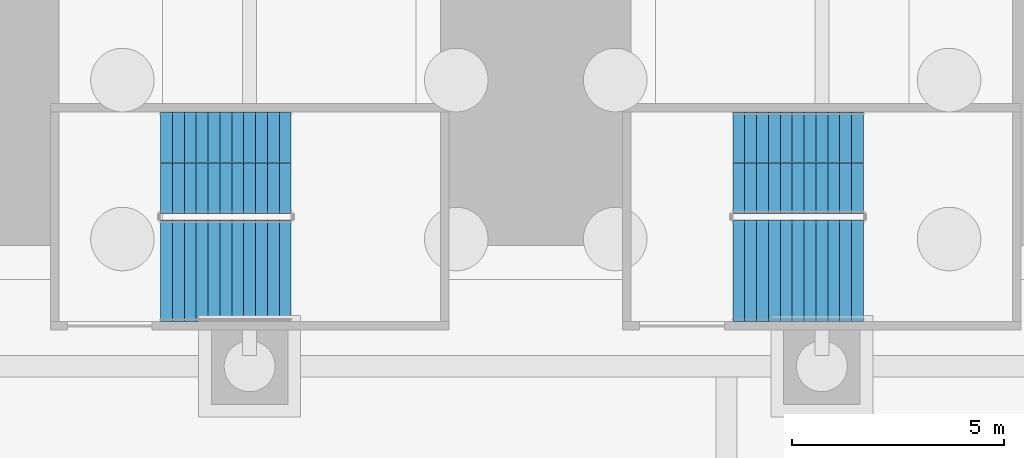
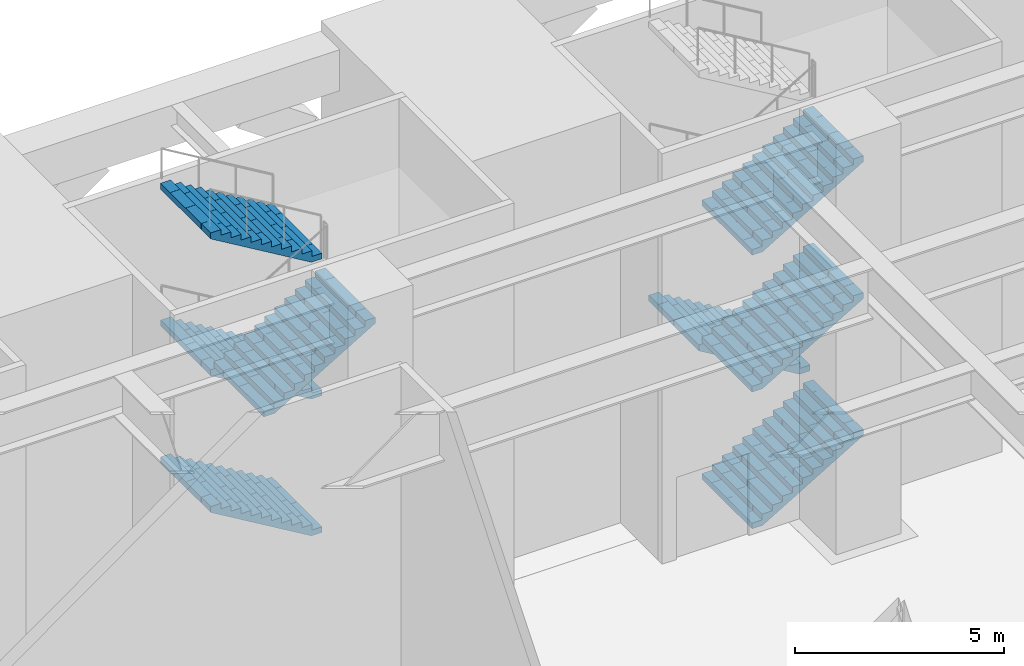
# One storey, part 23 of 34: 8 stair flights, 2 elements without a shape of their own.
"""IFC4 building model written with IfcOpenShell, lengths in metres."""

from ifc_helpers import new_model, si_unit, direction, frame, origin, place, context, subcontext, project, spatial, polyline, outline, extrude, material, type_object, element, aggregate, save


model = new_model("IFC4")

# Units and contexts
model_context = context("Model", 3, precision=1e-05, world=origin(), true_north=direction((0.0, 1.0)))
body_context = subcontext(model_context, "Body", "Model", "MODEL_VIEW")
ifc_project = project(units=[si_unit("LENGTHUNIT", "METRE"), si_unit("AREAUNIT", "SQUARE_METRE"), si_unit("VOLUMEUNIT", "CUBIC_METRE"), si_unit("PLANEANGLEUNIT", "RADIAN"), si_unit("MASSUNIT", "GRAM", prefix="KILO")], contexts=[model_context])

# Site, building, storey
site_placement = place(None, origin())
site = spatial("IfcSite", under=ifc_project, at=site_placement, CompositionType="ELEMENT")
building_placement = place(site_placement, origin())
building = spatial("IfcBuilding", under=site, at=building_placement, Name="Corbelhall Arena Tower", CompositionType="ELEMENT")
storey_placement = place(building_placement, origin())
storey = spatial("IfcBuildingStorey", under=building, at=storey_placement, Name="L00", CompositionType="ELEMENT", Elevation=0.0)

# Stair, stair flights
ifc_material = material(Name="Reinforced concrete C40/50", Category="concrete")
stair_type = type_object("IfcStairType", Name="AR-EXIT-STAIR", PredefinedType="HALF_TURN_STAIR", material=ifc_material)
stair_1_placement = place(storey_placement, origin())
stair_1 = element("IfcStair", 1, at=stair_1_placement, inside=storey, type_object=stair_type, Name="L00 exit stair AS11", PredefinedType="HALF_TURN_STAIR")
stair_flight_type = type_object("IfcStairFlightType", Name="AR-EXIT-FLIGHT", PredefinedType="STRAIGHT", material=ifc_material)
stair_flight_1_placement = place(storey_placement, frame((7.72998046875, 34.050048828125, 2.0), z_axis=(0.0, 0.0, 1.0), x_axis=(-1.0, 0.0, 0.0)))
stair_flight_1 = element("IfcStairFlight", 2, at=stair_flight_1_placement, type_object=stair_flight_type, Name="AS11 flight 2", NumberOfRisers=12, NumberOfTreads=11, PredefinedType="STRAIGHT", RiserHeight=0.166666667, TreadLength=0.28, context=body_context, shape_type="SweptSolid", body=[
    extrude(outline(polyline([(0.0, 0.0), (0.0, 0.166748046875), (0.280029296875, 0.166748046875), (0.280029296875, 0.333251953125), (0.56005859375, 0.333251953125), (0.56005859375, 0.5), (0.840087890625, 0.5), (0.840087890625, 0.666748046875), (1.1201171875, 0.666748046875), (1.1201171875, 0.833251953125), (1.39990234375, 0.833251953125), (1.39990234375, 1.0), (1.679931640625, 1.0), (1.679931640625, 1.166748046875), (1.9599609375, 1.166748046875), (1.9599609375, 1.333251953125), (2.239990234375, 1.333251953125), (2.239990234375, 1.5), (2.52001953125, 1.5), (2.52001953125, 1.666748046875), (2.800048828125, 1.666748046875), (2.800048828125, 1.833251953125), (3.080078125, 1.833251953125), (3.080078125, 2.0), (3.080078125, 1.658935546875), (0.29296875, 0.0), (0.0, 0.0)])), frame((0.0, 1.199951171875, 0.0), z_axis=(0.0, -1.0, 0.0), x_axis=(1.0, 0.0, 0.0)), (0.0, 0.0, 1.0), 0.449951171875),
    extrude(outline(polyline([(0.0, 0.0), (0.0, 0.166748046875), (0.280029296875, 0.166748046875), (0.280029296875, 0.333251953125), (0.56005859375, 0.333251953125), (0.56005859375, 0.5), (0.840087890625, 0.5), (0.840087890625, 0.666748046875), (1.1201171875, 0.666748046875), (1.1201171875, 0.833251953125), (1.39990234375, 0.833251953125), (1.39990234375, 1.0), (1.679931640625, 1.0), (1.679931640625, 1.166748046875), (1.9599609375, 1.166748046875), (1.9599609375, 1.333251953125), (2.239990234375, 1.333251953125), (2.239990234375, 1.5), (2.52001953125, 1.5), (2.52001953125, 1.666748046875), (2.800048828125, 1.666748046875), (2.800048828125, 1.833251953125), (3.080078125, 1.833251953125), (3.080078125, 2.0), (3.080078125, 1.658935546875), (0.29296875, 0.0), (0.0, 0.0)])), frame((0.0, 0.745849609375, 0.0), z_axis=(0.0, -1.0, 0.0), x_axis=(1.0, 0.0, 0.0)), (0.0, 0.0, 1.0), 0.743896484375),
    extrude(outline(polyline([(0.0, 0.0), (0.0, 0.166748046875), (0.280029296875, 0.166748046875), (0.280029296875, 0.333251953125), (0.56005859375, 0.333251953125), (0.56005859375, 0.5), (0.840087890625, 0.5), (0.840087890625, 0.666748046875), (1.1201171875, 0.666748046875), (1.1201171875, 0.833251953125), (1.39990234375, 0.833251953125), (1.39990234375, 1.0), (1.679931640625, 1.0), (1.679931640625, 1.166748046875), (1.9599609375, 1.166748046875), (1.9599609375, 1.333251953125), (2.239990234375, 1.333251953125), (2.239990234375, 1.5), (2.52001953125, 1.5), (2.52001953125, 1.666748046875), (2.800048828125, 1.666748046875), (2.800048828125, 1.833251953125), (3.080078125, 1.833251953125), (3.080078125, 2.0), (3.080078125, 1.658935546875), (0.29296875, 0.0), (0.0, 0.0)])), frame((0.0, -0.001953125, 0.0), z_axis=(0.0, -1.0, 0.0), x_axis=(1.0, 0.0, 0.0)), (0.0, 0.0, 1.0), 0.743896484375),
    extrude(outline(polyline([(0.0, 0.0), (0.0, 0.166748046875), (0.280029296875, 0.166748046875), (0.280029296875, 0.333251953125), (0.56005859375, 0.333251953125), (0.56005859375, 0.5), (0.840087890625, 0.5), (0.840087890625, 0.666748046875), (1.1201171875, 0.666748046875), (1.1201171875, 0.833251953125), (1.39990234375, 0.833251953125), (1.39990234375, 1.0), (1.679931640625, 1.0), (1.679931640625, 1.166748046875), (1.9599609375, 1.166748046875), (1.9599609375, 1.333251953125), (2.239990234375, 1.333251953125), (2.239990234375, 1.5), (2.52001953125, 1.5), (2.52001953125, 1.666748046875), (2.800048828125, 1.666748046875), (2.800048828125, 1.833251953125), (3.080078125, 1.833251953125), (3.080078125, 2.0), (3.080078125, 1.658935546875), (0.29296875, 0.0), (0.0, 0.0)])), frame((0.0, -0.75, 0.0), z_axis=(0.0, -1.0, 0.0), x_axis=(1.0, 0.0, 0.0)), (0.0, 0.0, 1.0), 0.449951171875),
])
stair_flight_2_placement = place(storey_placement, frame((7.72998046875, 34.050048828125, 6.0), z_axis=(0.0, 0.0, 1.0), x_axis=(-1.0, 0.0, 0.0)))
stair_flight_2 = element("IfcStairFlight", 3, at=stair_flight_2_placement, type_object=stair_flight_type, Name="AS11 flight 4", NumberOfRisers=12, NumberOfTreads=11, PredefinedType="STRAIGHT", RiserHeight=0.166666667, TreadLength=0.28, context=body_context, shape_type="SweptSolid", body=[
    extrude(outline(polyline([(0.0, 0.0), (0.0, 0.166748046875), (0.280029296875, 0.166748046875), (0.280029296875, 0.333251953125), (0.56005859375, 0.333251953125), (0.56005859375, 0.5), (0.840087890625, 0.5), (0.840087890625, 0.666748046875), (1.1201171875, 0.666748046875), (1.1201171875, 0.833251953125), (1.39990234375, 0.833251953125), (1.39990234375, 1.0), (1.679931640625, 1.0), (1.679931640625, 1.166748046875), (1.9599609375, 1.166748046875), (1.9599609375, 1.333251953125), (2.239990234375, 1.333251953125), (2.239990234375, 1.5), (2.52001953125, 1.5), (2.52001953125, 1.666748046875), (2.800048828125, 1.666748046875), (2.800048828125, 1.833251953125), (3.080078125, 1.833251953125), (3.080078125, 2.0), (3.080078125, 1.658935546875), (0.29296875, 0.0), (0.0, 0.0)])), frame((0.0, 1.199951171875, 0.0), z_axis=(0.0, -1.0, 0.0), x_axis=(1.0, 0.0, 0.0)), (0.0, 0.0, 1.0), 0.449951171875),
    extrude(outline(polyline([(0.0, 0.0), (0.0, 0.166748046875), (0.280029296875, 0.166748046875), (0.280029296875, 0.333251953125), (0.56005859375, 0.333251953125), (0.56005859375, 0.5), (0.840087890625, 0.5), (0.840087890625, 0.666748046875), (1.1201171875, 0.666748046875), (1.1201171875, 0.833251953125), (1.39990234375, 0.833251953125), (1.39990234375, 1.0), (1.679931640625, 1.0), (1.679931640625, 1.166748046875), (1.9599609375, 1.166748046875), (1.9599609375, 1.333251953125), (2.239990234375, 1.333251953125), (2.239990234375, 1.5), (2.52001953125, 1.5), (2.52001953125, 1.666748046875), (2.800048828125, 1.666748046875), (2.800048828125, 1.833251953125), (3.080078125, 1.833251953125), (3.080078125, 2.0), (3.080078125, 1.658935546875), (0.29296875, 0.0), (0.0, 0.0)])), frame((0.0, 0.745849609375, 0.0), z_axis=(0.0, -1.0, 0.0), x_axis=(1.0, 0.0, 0.0)), (0.0, 0.0, 1.0), 0.743896484375),
    extrude(outline(polyline([(0.0, 0.0), (0.0, 0.166748046875), (0.280029296875, 0.166748046875), (0.280029296875, 0.333251953125), (0.56005859375, 0.333251953125), (0.56005859375, 0.5), (0.840087890625, 0.5), (0.840087890625, 0.666748046875), (1.1201171875, 0.666748046875), (1.1201171875, 0.833251953125), (1.39990234375, 0.833251953125), (1.39990234375, 1.0), (1.679931640625, 1.0), (1.679931640625, 1.166748046875), (1.9599609375, 1.166748046875), (1.9599609375, 1.333251953125), (2.239990234375, 1.333251953125), (2.239990234375, 1.5), (2.52001953125, 1.5), (2.52001953125, 1.666748046875), (2.800048828125, 1.666748046875), (2.800048828125, 1.833251953125), (3.080078125, 1.833251953125), (3.080078125, 2.0), (3.080078125, 1.658935546875), (0.29296875, 0.0), (0.0, 0.0)])), frame((0.0, -0.001953125, 0.0), z_axis=(0.0, -1.0, 0.0), x_axis=(1.0, 0.0, 0.0)), (0.0, 0.0, 1.0), 0.743896484375),
    extrude(outline(polyline([(0.0, 0.0), (0.0, 0.166748046875), (0.280029296875, 0.166748046875), (0.280029296875, 0.333251953125), (0.56005859375, 0.333251953125), (0.56005859375, 0.5), (0.840087890625, 0.5), (0.840087890625, 0.666748046875), (1.1201171875, 0.666748046875), (1.1201171875, 0.833251953125), (1.39990234375, 0.833251953125), (1.39990234375, 1.0), (1.679931640625, 1.0), (1.679931640625, 1.166748046875), (1.9599609375, 1.166748046875), (1.9599609375, 1.333251953125), (2.239990234375, 1.333251953125), (2.239990234375, 1.5), (2.52001953125, 1.5), (2.52001953125, 1.666748046875), (2.800048828125, 1.666748046875), (2.800048828125, 1.833251953125), (3.080078125, 1.833251953125), (3.080078125, 2.0), (3.080078125, 1.658935546875), (0.29296875, 0.0), (0.0, 0.0)])), frame((0.0, -0.75, 0.0), z_axis=(0.0, -1.0, 0.0), x_axis=(1.0, 0.0, 0.0)), (0.0, 0.0, 1.0), 0.449951171875),
])
stair_flight_3_placement = place(storey_placement, frame((4.64990234375, 31.5, 8.0), z_axis=(0.0, 0.0, 1.0), x_axis=(1.0, 0.0, 0.0)))
stair_flight_3 = element("IfcStairFlight", 4, at=stair_flight_3_placement, type_object=stair_flight_type, Name="AS11 flight 5", NumberOfRisers=12, NumberOfTreads=11, PredefinedType="STRAIGHT", RiserHeight=0.166666667, TreadLength=0.28, context=body_context, shape_type="SweptSolid", body=[
    extrude(outline(polyline([(0.0, 0.0), (0.0, 0.166748046875), (0.280029296875, 0.166748046875), (0.280029296875, 0.333251953125), (0.56005859375, 0.333251953125), (0.56005859375, 0.5), (0.840087890625, 0.5), (0.840087890625, 0.666748046875), (1.1201171875, 0.666748046875), (1.1201171875, 0.833251953125), (1.39990234375, 0.833251953125), (1.39990234375, 1.0), (1.679931640625, 1.0), (1.679931640625, 1.166748046875), (1.9599609375, 1.166748046875), (1.9599609375, 1.333251953125), (2.239990234375, 1.333251953125), (2.239990234375, 1.5), (2.52001953125, 1.5), (2.52001953125, 1.666748046875), (2.800048828125, 1.666748046875), (2.800048828125, 1.833251953125), (3.080078125, 1.833251953125), (3.080078125, 2.0), (3.080078125, 1.658935546875), (0.29296875, 0.0), (0.0, 0.0)])), frame((0.0, 1.199951171875, 0.0), z_axis=(0.0, -1.0, 0.0), x_axis=(1.0, 0.0, 0.0)), (0.0, 0.0, 1.0), 0.449951171875),
    extrude(outline(polyline([(0.0, 0.0), (0.0, 0.166748046875), (0.280029296875, 0.166748046875), (0.280029296875, 0.333251953125), (0.56005859375, 0.333251953125), (0.56005859375, 0.5), (0.840087890625, 0.5), (0.840087890625, 0.666748046875), (1.1201171875, 0.666748046875), (1.1201171875, 0.833251953125), (1.39990234375, 0.833251953125), (1.39990234375, 1.0), (1.679931640625, 1.0), (1.679931640625, 1.166748046875), (1.9599609375, 1.166748046875), (1.9599609375, 1.333251953125), (2.239990234375, 1.333251953125), (2.239990234375, 1.5), (2.52001953125, 1.5), (2.52001953125, 1.666748046875), (2.800048828125, 1.666748046875), (2.800048828125, 1.833251953125), (3.080078125, 1.833251953125), (3.080078125, 2.0), (3.080078125, 1.658935546875), (0.29296875, 0.0), (0.0, 0.0)])), frame((0.0, 0.745849609375, 0.0), z_axis=(0.0, -1.0, 0.0), x_axis=(1.0, 0.0, 0.0)), (0.0, 0.0, 1.0), 0.743896484375),
    extrude(outline(polyline([(0.0, 0.0), (0.0, 0.166748046875), (0.280029296875, 0.166748046875), (0.280029296875, 0.333251953125), (0.56005859375, 0.333251953125), (0.56005859375, 0.5), (0.840087890625, 0.5), (0.840087890625, 0.666748046875), (1.1201171875, 0.666748046875), (1.1201171875, 0.833251953125), (1.39990234375, 0.833251953125), (1.39990234375, 1.0), (1.679931640625, 1.0), (1.679931640625, 1.166748046875), (1.9599609375, 1.166748046875), (1.9599609375, 1.333251953125), (2.239990234375, 1.333251953125), (2.239990234375, 1.5), (2.52001953125, 1.5), (2.52001953125, 1.666748046875), (2.800048828125, 1.666748046875), (2.800048828125, 1.833251953125), (3.080078125, 1.833251953125), (3.080078125, 2.0), (3.080078125, 1.658935546875), (0.29296875, 0.0), (0.0, 0.0)])), frame((0.0, -0.001953125, 0.0), z_axis=(0.0, -1.0, 0.0), x_axis=(1.0, 0.0, 0.0)), (0.0, 0.0, 1.0), 0.743896484375),
    extrude(outline(polyline([(0.0, 0.0), (0.0, 0.166748046875), (0.280029296875, 0.166748046875), (0.280029296875, 0.333251953125), (0.56005859375, 0.333251953125), (0.56005859375, 0.5), (0.840087890625, 0.5), (0.840087890625, 0.666748046875), (1.1201171875, 0.666748046875), (1.1201171875, 0.833251953125), (1.39990234375, 0.833251953125), (1.39990234375, 1.0), (1.679931640625, 1.0), (1.679931640625, 1.166748046875), (1.9599609375, 1.166748046875), (1.9599609375, 1.333251953125), (2.239990234375, 1.333251953125), (2.239990234375, 1.5), (2.52001953125, 1.5), (2.52001953125, 1.666748046875), (2.800048828125, 1.666748046875), (2.800048828125, 1.833251953125), (3.080078125, 1.833251953125), (3.080078125, 2.0), (3.080078125, 1.658935546875), (0.29296875, 0.0), (0.0, 0.0)])), frame((0.0, -0.75, 0.0), z_axis=(0.0, -1.0, 0.0), x_axis=(1.0, 0.0, 0.0)), (0.0, 0.0, 1.0), 0.449951171875),
])
stair_flight_4_placement = place(storey_placement, frame((7.72998046875, 34.050048828125, 10.0), z_axis=(0.0, 0.0, 1.0), x_axis=(-1.0, 0.0, 0.0)))
stair_flight_4 = element("IfcStairFlight", 5, at=stair_flight_4_placement, type_object=stair_flight_type, Name="AS11 flight 6", NumberOfRisers=12, NumberOfTreads=11, PredefinedType="STRAIGHT", RiserHeight=0.166666667, TreadLength=0.28, context=body_context, shape_type="SweptSolid", body=[
    extrude(outline(polyline([(0.0, 0.0), (0.0, 0.166748046875), (0.280029296875, 0.166748046875), (0.280029296875, 0.333251953125), (0.56005859375, 0.333251953125), (0.56005859375, 0.5), (0.840087890625, 0.5), (0.840087890625, 0.666748046875), (1.1201171875, 0.666748046875), (1.1201171875, 0.833251953125), (1.39990234375, 0.833251953125), (1.39990234375, 1.0), (1.679931640625, 1.0), (1.679931640625, 1.166748046875), (1.9599609375, 1.166748046875), (1.9599609375, 1.333251953125), (2.239990234375, 1.333251953125), (2.239990234375, 1.5), (2.52001953125, 1.5), (2.52001953125, 1.666748046875), (2.800048828125, 1.666748046875), (2.800048828125, 1.833251953125), (3.080078125, 1.833251953125), (3.080078125, 2.0), (3.080078125, 1.658935546875), (0.29296875, 0.0), (0.0, 0.0)])), frame((0.0, 1.199951171875, 0.0), z_axis=(0.0, -1.0, 0.0), x_axis=(1.0, 0.0, 0.0)), (0.0, 0.0, 1.0), 0.449951171875),
    extrude(outline(polyline([(0.0, 0.0), (0.0, 0.166748046875), (0.280029296875, 0.166748046875), (0.280029296875, 0.333251953125), (0.56005859375, 0.333251953125), (0.56005859375, 0.5), (0.840087890625, 0.5), (0.840087890625, 0.666748046875), (1.1201171875, 0.666748046875), (1.1201171875, 0.833251953125), (1.39990234375, 0.833251953125), (1.39990234375, 1.0), (1.679931640625, 1.0), (1.679931640625, 1.166748046875), (1.9599609375, 1.166748046875), (1.9599609375, 1.333251953125), (2.239990234375, 1.333251953125), (2.239990234375, 1.5), (2.52001953125, 1.5), (2.52001953125, 1.666748046875), (2.800048828125, 1.666748046875), (2.800048828125, 1.833251953125), (3.080078125, 1.833251953125), (3.080078125, 2.0), (3.080078125, 1.658935546875), (0.29296875, 0.0), (0.0, 0.0)])), frame((0.0, 0.745849609375, 0.0), z_axis=(0.0, -1.0, 0.0), x_axis=(1.0, 0.0, 0.0)), (0.0, 0.0, 1.0), 0.743896484375),
    extrude(outline(polyline([(0.0, 0.0), (0.0, 0.166748046875), (0.280029296875, 0.166748046875), (0.280029296875, 0.333251953125), (0.56005859375, 0.333251953125), (0.56005859375, 0.5), (0.840087890625, 0.5), (0.840087890625, 0.666748046875), (1.1201171875, 0.666748046875), (1.1201171875, 0.833251953125), (1.39990234375, 0.833251953125), (1.39990234375, 1.0), (1.679931640625, 1.0), (1.679931640625, 1.166748046875), (1.9599609375, 1.166748046875), (1.9599609375, 1.333251953125), (2.239990234375, 1.333251953125), (2.239990234375, 1.5), (2.52001953125, 1.5), (2.52001953125, 1.666748046875), (2.800048828125, 1.666748046875), (2.800048828125, 1.833251953125), (3.080078125, 1.833251953125), (3.080078125, 2.0), (3.080078125, 1.658935546875), (0.29296875, 0.0), (0.0, 0.0)])), frame((0.0, -0.001953125, 0.0), z_axis=(0.0, -1.0, 0.0), x_axis=(1.0, 0.0, 0.0)), (0.0, 0.0, 1.0), 0.743896484375),
    extrude(outline(polyline([(0.0, 0.0), (0.0, 0.166748046875), (0.280029296875, 0.166748046875), (0.280029296875, 0.333251953125), (0.56005859375, 0.333251953125), (0.56005859375, 0.5), (0.840087890625, 0.5), (0.840087890625, 0.666748046875), (1.1201171875, 0.666748046875), (1.1201171875, 0.833251953125), (1.39990234375, 0.833251953125), (1.39990234375, 1.0), (1.679931640625, 1.0), (1.679931640625, 1.166748046875), (1.9599609375, 1.166748046875), (1.9599609375, 1.333251953125), (2.239990234375, 1.333251953125), (2.239990234375, 1.5), (2.52001953125, 1.5), (2.52001953125, 1.666748046875), (2.800048828125, 1.666748046875), (2.800048828125, 1.833251953125), (3.080078125, 1.833251953125), (3.080078125, 2.0), (3.080078125, 1.658935546875), (0.29296875, 0.0), (0.0, 0.0)])), frame((0.0, -0.75, 0.0), z_axis=(0.0, -1.0, 0.0), x_axis=(1.0, 0.0, 0.0)), (0.0, 0.0, 1.0), 0.449951171875),
])
aggregate(stair_1, [stair_flight_1, stair_flight_2, stair_flight_3, stair_flight_4])

stair_2_placement = place(storey_placement, origin())
stair_2 = element("IfcStair", 6, at=stair_2_placement, inside=storey, type_object=stair_type, Name="L00 exit stair AS12", PredefinedType="HALF_TURN_STAIR")
stair_flight_5_placement = place(storey_placement, frame((18.14990234375, 31.5, 0.0), z_axis=(0.0, 0.0, 1.0), x_axis=(1.0, 0.0, 0.0)))
stair_flight_5 = element("IfcStairFlight", 7, at=stair_flight_5_placement, type_object=stair_flight_type, Name="AS12 flight 1", NumberOfRisers=12, NumberOfTreads=11, PredefinedType="STRAIGHT", RiserHeight=0.166666667, TreadLength=0.28, context=body_context, shape_type="SweptSolid", body=[
    extrude(outline(polyline([(0.0, 0.0), (0.0, 0.166748046875), (0.280029296875, 0.166748046875), (0.280029296875, 0.333251953125), (0.56005859375, 0.333251953125), (0.56005859375, 0.5), (0.840087890625, 0.5), (0.840087890625, 0.666748046875), (1.1201171875, 0.666748046875), (1.1201171875, 0.833251953125), (1.39990234375, 0.833251953125), (1.39990234375, 1.0), (1.679931640625, 1.0), (1.679931640625, 1.166748046875), (1.9599609375, 1.166748046875), (1.9599609375, 1.333251953125), (2.239990234375, 1.333251953125), (2.239990234375, 1.5), (2.52001953125, 1.5), (2.52001953125, 1.666748046875), (2.800048828125, 1.666748046875), (2.800048828125, 1.833251953125), (3.080078125, 1.833251953125), (3.080078125, 2.0), (3.080078125, 1.658935546875), (0.29296875, 0.0), (0.0, 0.0)])), frame((0.0, 1.199951171875, 0.0), z_axis=(0.0, -1.0, 0.0), x_axis=(1.0, 0.0, 0.0)), (0.0, 0.0, 1.0), 0.449951171875),
    extrude(outline(polyline([(0.0, 0.0), (0.0, 0.166748046875), (0.280029296875, 0.166748046875), (0.280029296875, 0.333251953125), (0.56005859375, 0.333251953125), (0.56005859375, 0.5), (0.840087890625, 0.5), (0.840087890625, 0.666748046875), (1.1201171875, 0.666748046875), (1.1201171875, 0.833251953125), (1.39990234375, 0.833251953125), (1.39990234375, 1.0), (1.679931640625, 1.0), (1.679931640625, 1.166748046875), (1.9599609375, 1.166748046875), (1.9599609375, 1.333251953125), (2.239990234375, 1.333251953125), (2.239990234375, 1.5), (2.52001953125, 1.5), (2.52001953125, 1.666748046875), (2.800048828125, 1.666748046875), (2.800048828125, 1.833251953125), (3.080078125, 1.833251953125), (3.080078125, 2.0), (3.080078125, 1.658935546875), (0.29296875, 0.0), (0.0, 0.0)])), frame((0.0, 0.745849609375, 0.0), z_axis=(0.0, -1.0, 0.0), x_axis=(1.0, 0.0, 0.0)), (0.0, 0.0, 1.0), 0.743896484375),
    extrude(outline(polyline([(0.0, 0.0), (0.0, 0.166748046875), (0.280029296875, 0.166748046875), (0.280029296875, 0.333251953125), (0.56005859375, 0.333251953125), (0.56005859375, 0.5), (0.840087890625, 0.5), (0.840087890625, 0.666748046875), (1.1201171875, 0.666748046875), (1.1201171875, 0.833251953125), (1.39990234375, 0.833251953125), (1.39990234375, 1.0), (1.679931640625, 1.0), (1.679931640625, 1.166748046875), (1.9599609375, 1.166748046875), (1.9599609375, 1.333251953125), (2.239990234375, 1.333251953125), (2.239990234375, 1.5), (2.52001953125, 1.5), (2.52001953125, 1.666748046875), (2.800048828125, 1.666748046875), (2.800048828125, 1.833251953125), (3.080078125, 1.833251953125), (3.080078125, 2.0), (3.080078125, 1.658935546875), (0.29296875, 0.0), (0.0, 0.0)])), frame((0.0, -0.001953125, 0.0), z_axis=(0.0, -1.0, 0.0), x_axis=(1.0, 0.0, 0.0)), (0.0, 0.0, 1.0), 0.743896484375),
    extrude(outline(polyline([(0.0, 0.0), (0.0, 0.166748046875), (0.280029296875, 0.166748046875), (0.280029296875, 0.333251953125), (0.56005859375, 0.333251953125), (0.56005859375, 0.5), (0.840087890625, 0.5), (0.840087890625, 0.666748046875), (1.1201171875, 0.666748046875), (1.1201171875, 0.833251953125), (1.39990234375, 0.833251953125), (1.39990234375, 1.0), (1.679931640625, 1.0), (1.679931640625, 1.166748046875), (1.9599609375, 1.166748046875), (1.9599609375, 1.333251953125), (2.239990234375, 1.333251953125), (2.239990234375, 1.5), (2.52001953125, 1.5), (2.52001953125, 1.666748046875), (2.800048828125, 1.666748046875), (2.800048828125, 1.833251953125), (3.080078125, 1.833251953125), (3.080078125, 2.0), (3.080078125, 1.658935546875), (0.29296875, 0.0), (0.0, 0.0)])), frame((0.0, -0.75, 0.0), z_axis=(0.0, -1.0, 0.0), x_axis=(1.0, 0.0, 0.0)), (0.0, 0.0, 1.0), 0.449951171875),
])
stair_flight_6_placement = place(storey_placement, frame((21.22998046875, 34.050048828125, 2.0), z_axis=(0.0, 0.0, 1.0), x_axis=(-1.0, 0.0, 0.0)))
stair_flight_6 = element("IfcStairFlight", 8, at=stair_flight_6_placement, type_object=stair_flight_type, Name="AS12 flight 2", NumberOfRisers=12, NumberOfTreads=11, PredefinedType="STRAIGHT", RiserHeight=0.166666667, TreadLength=0.28, context=body_context, shape_type="SweptSolid", body=[
    extrude(outline(polyline([(0.0, 0.0), (0.0, 0.166748046875), (0.280029296875, 0.166748046875), (0.280029296875, 0.333251953125), (0.56005859375, 0.333251953125), (0.56005859375, 0.5), (0.840087890625, 0.5), (0.840087890625, 0.666748046875), (1.1201171875, 0.666748046875), (1.1201171875, 0.833251953125), (1.39990234375, 0.833251953125), (1.39990234375, 1.0), (1.679931640625, 1.0), (1.679931640625, 1.166748046875), (1.9599609375, 1.166748046875), (1.9599609375, 1.333251953125), (2.239990234375, 1.333251953125), (2.239990234375, 1.5), (2.52001953125, 1.5), (2.52001953125, 1.666748046875), (2.800048828125, 1.666748046875), (2.800048828125, 1.833251953125), (3.080078125, 1.833251953125), (3.080078125, 2.0), (3.080078125, 1.658935546875), (0.29296875, 0.0), (0.0, 0.0)])), frame((0.0, 1.199951171875, 0.0), z_axis=(0.0, -1.0, 0.0), x_axis=(1.0, 0.0, 0.0)), (0.0, 0.0, 1.0), 0.449951171875),
    extrude(outline(polyline([(0.0, 0.0), (0.0, 0.166748046875), (0.280029296875, 0.166748046875), (0.280029296875, 0.333251953125), (0.56005859375, 0.333251953125), (0.56005859375, 0.5), (0.840087890625, 0.5), (0.840087890625, 0.666748046875), (1.1201171875, 0.666748046875), (1.1201171875, 0.833251953125), (1.39990234375, 0.833251953125), (1.39990234375, 1.0), (1.679931640625, 1.0), (1.679931640625, 1.166748046875), (1.9599609375, 1.166748046875), (1.9599609375, 1.333251953125), (2.239990234375, 1.333251953125), (2.239990234375, 1.5), (2.52001953125, 1.5), (2.52001953125, 1.666748046875), (2.800048828125, 1.666748046875), (2.800048828125, 1.833251953125), (3.080078125, 1.833251953125), (3.080078125, 2.0), (3.080078125, 1.658935546875), (0.29296875, 0.0), (0.0, 0.0)])), frame((0.0, 0.745849609375, 0.0), z_axis=(0.0, -1.0, 0.0), x_axis=(1.0, 0.0, 0.0)), (0.0, 0.0, 1.0), 0.743896484375),
    extrude(outline(polyline([(0.0, 0.0), (0.0, 0.166748046875), (0.280029296875, 0.166748046875), (0.280029296875, 0.333251953125), (0.56005859375, 0.333251953125), (0.56005859375, 0.5), (0.840087890625, 0.5), (0.840087890625, 0.666748046875), (1.1201171875, 0.666748046875), (1.1201171875, 0.833251953125), (1.39990234375, 0.833251953125), (1.39990234375, 1.0), (1.679931640625, 1.0), (1.679931640625, 1.166748046875), (1.9599609375, 1.166748046875), (1.9599609375, 1.333251953125), (2.239990234375, 1.333251953125), (2.239990234375, 1.5), (2.52001953125, 1.5), (2.52001953125, 1.666748046875), (2.800048828125, 1.666748046875), (2.800048828125, 1.833251953125), (3.080078125, 1.833251953125), (3.080078125, 2.0), (3.080078125, 1.658935546875), (0.29296875, 0.0), (0.0, 0.0)])), frame((0.0, -0.001953125, 0.0), z_axis=(0.0, -1.0, 0.0), x_axis=(1.0, 0.0, 0.0)), (0.0, 0.0, 1.0), 0.743896484375),
    extrude(outline(polyline([(0.0, 0.0), (0.0, 0.166748046875), (0.280029296875, 0.166748046875), (0.280029296875, 0.333251953125), (0.56005859375, 0.333251953125), (0.56005859375, 0.5), (0.840087890625, 0.5), (0.840087890625, 0.666748046875), (1.1201171875, 0.666748046875), (1.1201171875, 0.833251953125), (1.39990234375, 0.833251953125), (1.39990234375, 1.0), (1.679931640625, 1.0), (1.679931640625, 1.166748046875), (1.9599609375, 1.166748046875), (1.9599609375, 1.333251953125), (2.239990234375, 1.333251953125), (2.239990234375, 1.5), (2.52001953125, 1.5), (2.52001953125, 1.666748046875), (2.800048828125, 1.666748046875), (2.800048828125, 1.833251953125), (3.080078125, 1.833251953125), (3.080078125, 2.0), (3.080078125, 1.658935546875), (0.29296875, 0.0), (0.0, 0.0)])), frame((0.0, -0.75, 0.0), z_axis=(0.0, -1.0, 0.0), x_axis=(1.0, 0.0, 0.0)), (0.0, 0.0, 1.0), 0.449951171875),
])
stair_flight_7_placement = place(storey_placement, frame((18.14990234375, 31.5, 4.0), z_axis=(0.0, 0.0, 1.0), x_axis=(1.0, 0.0, 0.0)))
stair_flight_7 = element("IfcStairFlight", 9, at=stair_flight_7_placement, type_object=stair_flight_type, Name="AS12 flight 3", NumberOfRisers=12, NumberOfTreads=11, PredefinedType="STRAIGHT", RiserHeight=0.166666667, TreadLength=0.28, context=body_context, shape_type="SweptSolid", body=[
    extrude(outline(polyline([(0.0, 0.0), (0.0, 0.166748046875), (0.280029296875, 0.166748046875), (0.280029296875, 0.333251953125), (0.56005859375, 0.333251953125), (0.56005859375, 0.5), (0.840087890625, 0.5), (0.840087890625, 0.666748046875), (1.1201171875, 0.666748046875), (1.1201171875, 0.833251953125), (1.39990234375, 0.833251953125), (1.39990234375, 1.0), (1.679931640625, 1.0), (1.679931640625, 1.166748046875), (1.9599609375, 1.166748046875), (1.9599609375, 1.333251953125), (2.239990234375, 1.333251953125), (2.239990234375, 1.5), (2.52001953125, 1.5), (2.52001953125, 1.666748046875), (2.800048828125, 1.666748046875), (2.800048828125, 1.833251953125), (3.080078125, 1.833251953125), (3.080078125, 2.0), (3.080078125, 1.658935546875), (0.29296875, 0.0), (0.0, 0.0)])), frame((0.0, 1.199951171875, 0.0), z_axis=(0.0, -1.0, 0.0), x_axis=(1.0, 0.0, 0.0)), (0.0, 0.0, 1.0), 0.449951171875),
    extrude(outline(polyline([(0.0, 0.0), (0.0, 0.166748046875), (0.280029296875, 0.166748046875), (0.280029296875, 0.333251953125), (0.56005859375, 0.333251953125), (0.56005859375, 0.5), (0.840087890625, 0.5), (0.840087890625, 0.666748046875), (1.1201171875, 0.666748046875), (1.1201171875, 0.833251953125), (1.39990234375, 0.833251953125), (1.39990234375, 1.0), (1.679931640625, 1.0), (1.679931640625, 1.166748046875), (1.9599609375, 1.166748046875), (1.9599609375, 1.333251953125), (2.239990234375, 1.333251953125), (2.239990234375, 1.5), (2.52001953125, 1.5), (2.52001953125, 1.666748046875), (2.800048828125, 1.666748046875), (2.800048828125, 1.833251953125), (3.080078125, 1.833251953125), (3.080078125, 2.0), (3.080078125, 1.658935546875), (0.29296875, 0.0), (0.0, 0.0)])), frame((0.0, 0.745849609375, 0.0), z_axis=(0.0, -1.0, 0.0), x_axis=(1.0, 0.0, 0.0)), (0.0, 0.0, 1.0), 0.743896484375),
    extrude(outline(polyline([(0.0, 0.0), (0.0, 0.166748046875), (0.280029296875, 0.166748046875), (0.280029296875, 0.333251953125), (0.56005859375, 0.333251953125), (0.56005859375, 0.5), (0.840087890625, 0.5), (0.840087890625, 0.666748046875), (1.1201171875, 0.666748046875), (1.1201171875, 0.833251953125), (1.39990234375, 0.833251953125), (1.39990234375, 1.0), (1.679931640625, 1.0), (1.679931640625, 1.166748046875), (1.9599609375, 1.166748046875), (1.9599609375, 1.333251953125), (2.239990234375, 1.333251953125), (2.239990234375, 1.5), (2.52001953125, 1.5), (2.52001953125, 1.666748046875), (2.800048828125, 1.666748046875), (2.800048828125, 1.833251953125), (3.080078125, 1.833251953125), (3.080078125, 2.0), (3.080078125, 1.658935546875), (0.29296875, 0.0), (0.0, 0.0)])), frame((0.0, -0.001953125, 0.0), z_axis=(0.0, -1.0, 0.0), x_axis=(1.0, 0.0, 0.0)), (0.0, 0.0, 1.0), 0.743896484375),
    extrude(outline(polyline([(0.0, 0.0), (0.0, 0.166748046875), (0.280029296875, 0.166748046875), (0.280029296875, 0.333251953125), (0.56005859375, 0.333251953125), (0.56005859375, 0.5), (0.840087890625, 0.5), (0.840087890625, 0.666748046875), (1.1201171875, 0.666748046875), (1.1201171875, 0.833251953125), (1.39990234375, 0.833251953125), (1.39990234375, 1.0), (1.679931640625, 1.0), (1.679931640625, 1.166748046875), (1.9599609375, 1.166748046875), (1.9599609375, 1.333251953125), (2.239990234375, 1.333251953125), (2.239990234375, 1.5), (2.52001953125, 1.5), (2.52001953125, 1.666748046875), (2.800048828125, 1.666748046875), (2.800048828125, 1.833251953125), (3.080078125, 1.833251953125), (3.080078125, 2.0), (3.080078125, 1.658935546875), (0.29296875, 0.0), (0.0, 0.0)])), frame((0.0, -0.75, 0.0), z_axis=(0.0, -1.0, 0.0), x_axis=(1.0, 0.0, 0.0)), (0.0, 0.0, 1.0), 0.449951171875),
])
stair_flight_8_placement = place(storey_placement, frame((18.14990234375, 31.5, 8.0), z_axis=(0.0, 0.0, 1.0), x_axis=(1.0, 0.0, 0.0)))
stair_flight_8 = element("IfcStairFlight", 10, at=stair_flight_8_placement, type_object=stair_flight_type, Name="AS12 flight 5", NumberOfRisers=12, NumberOfTreads=11, PredefinedType="STRAIGHT", RiserHeight=0.166666667, TreadLength=0.28, context=body_context, shape_type="SweptSolid", body=[
    extrude(outline(polyline([(0.0, 0.0), (0.0, 0.166748046875), (0.280029296875, 0.166748046875), (0.280029296875, 0.333251953125), (0.56005859375, 0.333251953125), (0.56005859375, 0.5), (0.840087890625, 0.5), (0.840087890625, 0.666748046875), (1.1201171875, 0.666748046875), (1.1201171875, 0.833251953125), (1.39990234375, 0.833251953125), (1.39990234375, 1.0), (1.679931640625, 1.0), (1.679931640625, 1.166748046875), (1.9599609375, 1.166748046875), (1.9599609375, 1.333251953125), (2.239990234375, 1.333251953125), (2.239990234375, 1.5), (2.52001953125, 1.5), (2.52001953125, 1.666748046875), (2.800048828125, 1.666748046875), (2.800048828125, 1.833251953125), (3.080078125, 1.833251953125), (3.080078125, 2.0), (3.080078125, 1.658935546875), (0.29296875, 0.0), (0.0, 0.0)])), frame((0.0, 1.199951171875, 0.0), z_axis=(0.0, -1.0, 0.0), x_axis=(1.0, 0.0, 0.0)), (0.0, 0.0, 1.0), 0.449951171875),
    extrude(outline(polyline([(0.0, 0.0), (0.0, 0.166748046875), (0.280029296875, 0.166748046875), (0.280029296875, 0.333251953125), (0.56005859375, 0.333251953125), (0.56005859375, 0.5), (0.840087890625, 0.5), (0.840087890625, 0.666748046875), (1.1201171875, 0.666748046875), (1.1201171875, 0.833251953125), (1.39990234375, 0.833251953125), (1.39990234375, 1.0), (1.679931640625, 1.0), (1.679931640625, 1.166748046875), (1.9599609375, 1.166748046875), (1.9599609375, 1.333251953125), (2.239990234375, 1.333251953125), (2.239990234375, 1.5), (2.52001953125, 1.5), (2.52001953125, 1.666748046875), (2.800048828125, 1.666748046875), (2.800048828125, 1.833251953125), (3.080078125, 1.833251953125), (3.080078125, 2.0), (3.080078125, 1.658935546875), (0.29296875, 0.0), (0.0, 0.0)])), frame((0.0, 0.745849609375, 0.0), z_axis=(0.0, -1.0, 0.0), x_axis=(1.0, 0.0, 0.0)), (0.0, 0.0, 1.0), 0.743896484375),
    extrude(outline(polyline([(0.0, 0.0), (0.0, 0.166748046875), (0.280029296875, 0.166748046875), (0.280029296875, 0.333251953125), (0.56005859375, 0.333251953125), (0.56005859375, 0.5), (0.840087890625, 0.5), (0.840087890625, 0.666748046875), (1.1201171875, 0.666748046875), (1.1201171875, 0.833251953125), (1.39990234375, 0.833251953125), (1.39990234375, 1.0), (1.679931640625, 1.0), (1.679931640625, 1.166748046875), (1.9599609375, 1.166748046875), (1.9599609375, 1.333251953125), (2.239990234375, 1.333251953125), (2.239990234375, 1.5), (2.52001953125, 1.5), (2.52001953125, 1.666748046875), (2.800048828125, 1.666748046875), (2.800048828125, 1.833251953125), (3.080078125, 1.833251953125), (3.080078125, 2.0), (3.080078125, 1.658935546875), (0.29296875, 0.0), (0.0, 0.0)])), frame((0.0, -0.001953125, 0.0), z_axis=(0.0, -1.0, 0.0), x_axis=(1.0, 0.0, 0.0)), (0.0, 0.0, 1.0), 0.743896484375),
    extrude(outline(polyline([(0.0, 0.0), (0.0, 0.166748046875), (0.280029296875, 0.166748046875), (0.280029296875, 0.333251953125), (0.56005859375, 0.333251953125), (0.56005859375, 0.5), (0.840087890625, 0.5), (0.840087890625, 0.666748046875), (1.1201171875, 0.666748046875), (1.1201171875, 0.833251953125), (1.39990234375, 0.833251953125), (1.39990234375, 1.0), (1.679931640625, 1.0), (1.679931640625, 1.166748046875), (1.9599609375, 1.166748046875), (1.9599609375, 1.333251953125), (2.239990234375, 1.333251953125), (2.239990234375, 1.5), (2.52001953125, 1.5), (2.52001953125, 1.666748046875), (2.800048828125, 1.666748046875), (2.800048828125, 1.833251953125), (3.080078125, 1.833251953125), (3.080078125, 2.0), (3.080078125, 1.658935546875), (0.29296875, 0.0), (0.0, 0.0)])), frame((0.0, -0.75, 0.0), z_axis=(0.0, -1.0, 0.0), x_axis=(1.0, 0.0, 0.0)), (0.0, 0.0, 1.0), 0.449951171875),
])
aggregate(stair_2, [stair_flight_5, stair_flight_6, stair_flight_7, stair_flight_8])

save(model, "model.ifc")
